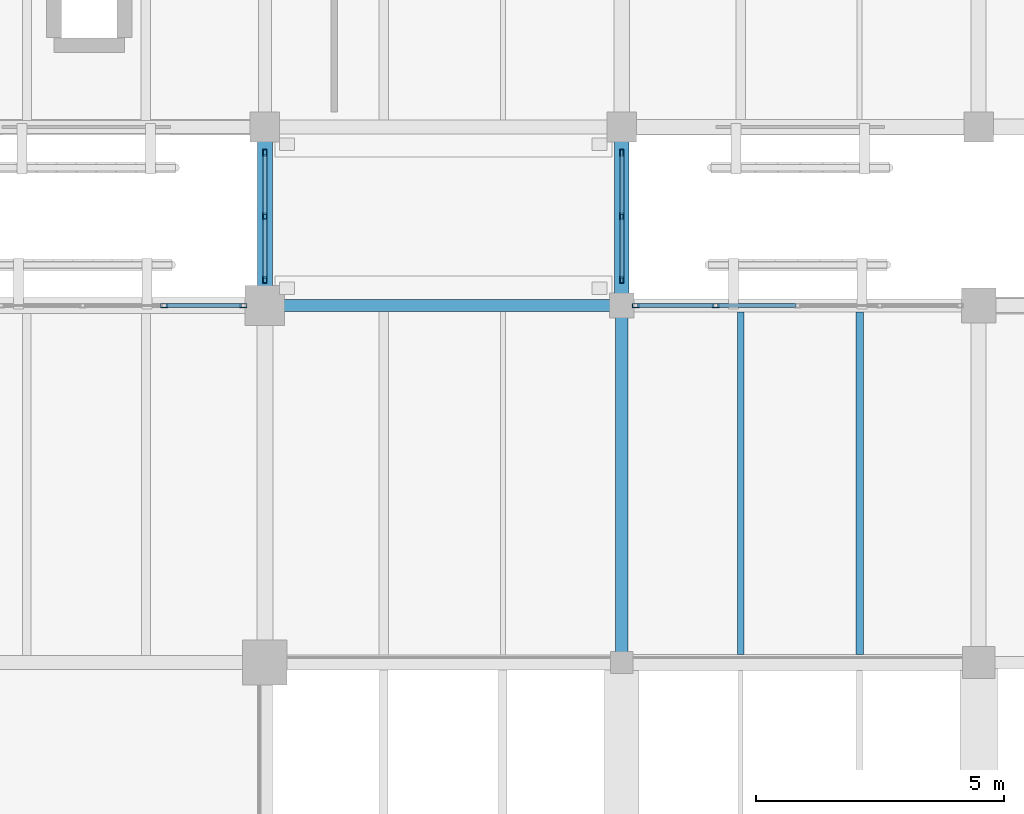
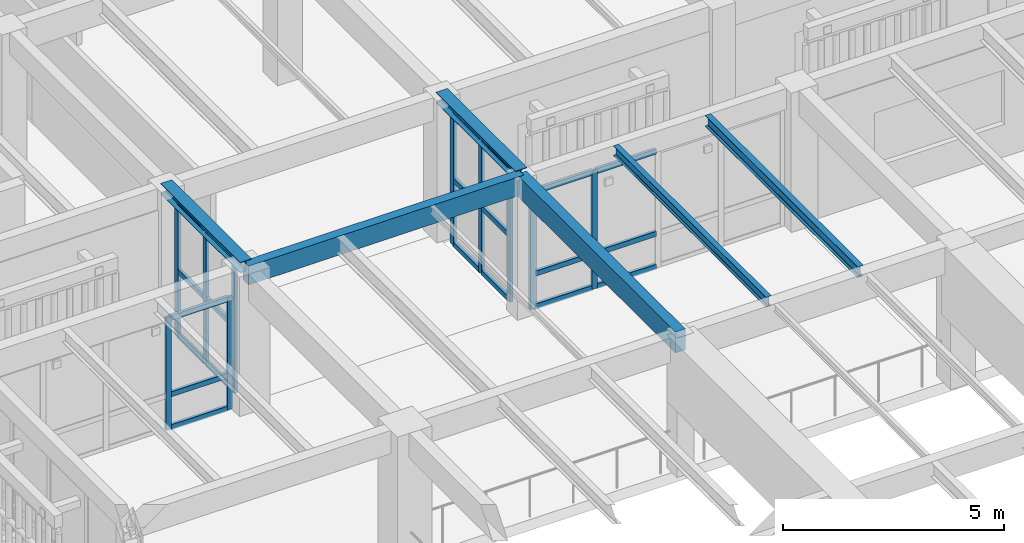
# One storey, part 91 of 170: 31 members, 6 beams, 4 elements without a shape of their own.
"""IFC4 building model written with IfcOpenShell, lengths in metres."""

from ifc_helpers import new_model, si_unit, direction, frame, origin, origin_2d, place, context, subcontext, project, spatial, rectangle, hollow_rectangle, i_section, extrude, material, layer, layer_set, material_profile, profile_set, type_object, element, aggregate, save


model = new_model("IFC4")

# Units and contexts
model_context = context("Model", 3, precision=1e-05, world=origin(), true_north=direction((0.0, 1.0)))
body_context = subcontext(model_context, "Body", "Model", "MODEL_VIEW")
ifc_project = project(units=[si_unit("LENGTHUNIT", "METRE"), si_unit("AREAUNIT", "SQUARE_METRE"), si_unit("VOLUMEUNIT", "CUBIC_METRE"), si_unit("PLANEANGLEUNIT", "RADIAN"), si_unit("MASSUNIT", "GRAM", prefix="KILO")], contexts=[model_context])

# Site, building, storey
site_placement = place(None, origin())
site = spatial("IfcSite", under=ifc_project, at=site_placement, CompositionType="ELEMENT")
building_placement = place(site_placement, origin())
building = spatial("IfcBuilding", under=site, at=building_placement, Name="Mazaris Harbour Polytechnic", CompositionType="ELEMENT")
storey_placement = place(building_placement, frame((0.0, 0.0, 5.39990234375)))
storey = spatial("IfcBuildingStorey", under=building, at=storey_placement, Name="L01", CompositionType="ELEMENT", Elevation=5.39990234375)

# Curtain wall, members
ifc_material_1 = material(Name="Anodised Bronze Aluminium and Low-E Glass", Category="aluminium")
ifc_layer_1 = layer(ifc_material_1, 0.159912109375, Name="Anodised Bronze Aluminium and Low-E Glass")
ifc_layer_set_1 = layer_set([ifc_layer_1], Name="Anodised Bronze Aluminium and Low-E Glass")
curtain_wall_type_1 = type_object("IfcCurtainWallType", Name="Cloister Court Curtain Wall", PredefinedType="NOTDEFINED", material=ifc_layer_set_1)
curtain_wall_1_placement = place(storey_placement, origin())
curtain_wall_1 = element("IfcCurtainWall", 1, at=curtain_wall_1_placement, inside=storey, type_object=curtain_wall_type_1, Name="V2 L01 Curtain Wall 43", PredefinedType="NOTDEFINED")
ifc_material_2 = material(Name="Anodised Bronze Steel S355", Category="steel")
ifc_material_profile_1 = material_profile(ifc_material_2, hollow_rectangle(XDim=0.080078125, YDim=0.139892578125, WallThickness=0.00634765625, at=origin_2d()), Name="RHS 80x140x6.3")
ifc_profile_set_1 = profile_set([ifc_material_profile_1], Name="Anodised Bronze Steel S355")
member_type_1 = type_object("IfcMemberType", Name="Curtain Mullion RHS80x140", PredefinedType="MULLION", material=ifc_profile_set_1)
member_1_placement = place(storey_placement, frame((127.56640625, 43.199951171875, 0.0), z_axis=(0.0, 0.0, 1.0), x_axis=(0.0, 1.0, 0.0)))
member_1 = element("IfcMember", 2, at=member_1_placement, type_object=member_type_1, Name="CW-02 mullion 4", PredefinedType="MULLION", context=body_context, shape_type="SweptSolid", body=[
    extrude(hollow_rectangle(XDim=0.080078125, YDim=0.139892578125, WallThickness=0.00634765625, at=origin_2d()), origin(), (0.0, 0.0, 1.0), 3.10009765625),
])
member_2_placement = place(storey_placement, frame((129.16796875, 43.199951171875, 0.0), z_axis=(0.0, 0.0, 1.0), x_axis=(0.0, 1.0, 0.0)))
member_2 = element("IfcMember", 3, at=member_2_placement, type_object=member_type_1, Name="CW-02 mullion 5", PredefinedType="MULLION", context=body_context, shape_type="SweptSolid", body=[
    extrude(hollow_rectangle(XDim=0.080078125, YDim=0.139892578125, WallThickness=0.00634765625, at=origin_2d()), origin(), (0.0, 0.0, 1.0), 3.10009765625),
])

curtain_wall_2_placement = place(storey_placement, origin())
curtain_wall_2 = element("IfcCurtainWall", 4, at=curtain_wall_2_placement, inside=storey, type_object=curtain_wall_type_1, Name="V2 L01 Curtain Wall 44", PredefinedType="NOTDEFINED")
member_3_placement = place(storey_placement, frame((137.08203125, 43.199951171875, 0.0), z_axis=(0.0, 0.0, 1.0), x_axis=(0.0, 1.0, 0.0)))
member_3 = element("IfcMember", 5, at=member_3_placement, type_object=member_type_1, Name="CW-02 mullion 1", PredefinedType="MULLION", context=body_context, shape_type="SweptSolid", body=[
    extrude(hollow_rectangle(XDim=0.080078125, YDim=0.139892578125, WallThickness=0.00634765625, at=origin_2d()), origin(), (0.0, 0.0, 1.0), 3.260009765625),
])
member_4_placement = place(storey_placement, frame((138.696044921875, 43.199951171875, 0.0), z_axis=(0.0, 0.0, 1.0), x_axis=(0.0, 1.0, 0.0)))
member_4 = element("IfcMember", 6, at=member_4_placement, type_object=member_type_1, Name="CW-02 mullion 2", PredefinedType="MULLION", context=body_context, shape_type="SweptSolid", body=[
    extrude(hollow_rectangle(XDim=0.080078125, YDim=0.139892578125, WallThickness=0.00634765625, at=origin_2d()), origin(), (0.0, 0.0, 1.0), 3.260009765625),
])

ifc_material_3 = material(Name="Anodised Bronze Aluminium and Low-E Glass", Category="aluminium")
ifc_layer_2 = layer(ifc_material_3, 0.139892578125, Name="Anodised Bronze Aluminium and Low-E Glass")
ifc_layer_set_2 = layer_set([ifc_layer_2], Name="Anodised Bronze Aluminium and Low-E Glass")
curtain_wall_type_2 = type_object("IfcCurtainWallType", Name="Seismic Link Bridge Glazing", PredefinedType="NOTDEFINED", material=ifc_layer_set_2)
curtain_wall_3_placement = place(storey_placement, origin())
curtain_wall_3 = element("IfcCurtainWall", 7, at=curtain_wall_3_placement, inside=storey, type_object=curtain_wall_type_2, Name="PB-NE L01 Bridge Glazing", PredefinedType="NOTDEFINED")
member_5_placement = place(storey_placement, frame((129.60009765625, 46.280029296875, 0.0), z_axis=(0.0, 0.0, 1.0), x_axis=(1.0, 0.0, 0.0)))
member_5 = element("IfcMember", 8, at=member_5_placement, type_object=member_type_1, Name="CW-05 mullion 1", PredefinedType="MULLION", context=body_context, shape_type="SweptSolid", body=[
    extrude(hollow_rectangle(XDim=0.080078125, YDim=0.139892578125, WallThickness=0.00634765625, at=origin_2d()), origin(), (0.0, 0.0, 1.0), 3.635009765625),
])
member_6_placement = place(storey_placement, frame((129.60009765625, 45.0, 0.0), z_axis=(0.0, 0.0, 1.0), x_axis=(1.0, 0.0, 0.0)))
member_6 = element("IfcMember", 9, at=member_6_placement, type_object=member_type_1, Name="CW-05 mullion 2", PredefinedType="MULLION", context=body_context, shape_type="SweptSolid", body=[
    extrude(hollow_rectangle(XDim=0.080078125, YDim=0.139892578125, WallThickness=0.00634765625, at=origin_2d()), origin(), (0.0, 0.0, 1.0), 3.635009765625),
])
member_7_placement = place(storey_placement, frame((129.60009765625, 43.719970703125, 0.0), z_axis=(0.0, 0.0, 1.0), x_axis=(1.0, 0.0, 0.0)))
member_7 = element("IfcMember", 10, at=member_7_placement, type_object=member_type_1, Name="CW-05 mullion 3", PredefinedType="MULLION", context=body_context, shape_type="SweptSolid", body=[
    extrude(hollow_rectangle(XDim=0.080078125, YDim=0.139892578125, WallThickness=0.00634765625, at=origin_2d()), origin(), (0.0, 0.0, 1.0), 3.635009765625),
])

curtain_wall_4_placement = place(storey_placement, origin())
curtain_wall_4 = element("IfcCurtainWall", 11, at=curtain_wall_4_placement, inside=storey, type_object=curtain_wall_type_2, Name="PB-NE L01 Bridge Glazing", PredefinedType="NOTDEFINED")
member_8_placement = place(storey_placement, frame((136.800048828125, 43.719970703125, 0.0), z_axis=(0.0, 0.0, 1.0), x_axis=(-1.0, 0.0, 0.0)))
member_8 = element("IfcMember", 12, at=member_8_placement, type_object=member_type_1, Name="CW-05 mullion 1", PredefinedType="MULLION", context=body_context, shape_type="SweptSolid", body=[
    extrude(hollow_rectangle(XDim=0.080078125, YDim=0.139892578125, WallThickness=0.00634765625, at=origin_2d()), origin(), (0.0, 0.0, 1.0), 3.635009765625),
])
member_9_placement = place(storey_placement, frame((136.800048828125, 45.0, 0.0), z_axis=(0.0, 0.0, 1.0), x_axis=(-1.0, 0.0, 0.0)))
member_9 = element("IfcMember", 13, at=member_9_placement, type_object=member_type_1, Name="CW-05 mullion 2", PredefinedType="MULLION", context=body_context, shape_type="SweptSolid", body=[
    extrude(hollow_rectangle(XDim=0.080078125, YDim=0.139892578125, WallThickness=0.00634765625, at=origin_2d()), origin(), (0.0, 0.0, 1.0), 3.635009765625),
])
member_10_placement = place(storey_placement, frame((136.800048828125, 46.280029296875, 0.0), z_axis=(0.0, 0.0, 1.0), x_axis=(-1.0, 0.0, 0.0)))
member_10 = element("IfcMember", 14, at=member_10_placement, type_object=member_type_1, Name="CW-05 mullion 3", PredefinedType="MULLION", context=body_context, shape_type="SweptSolid", body=[
    extrude(hollow_rectangle(XDim=0.080078125, YDim=0.139892578125, WallThickness=0.00634765625, at=origin_2d()), origin(), (0.0, 0.0, 1.0), 3.635009765625),
])

# Member
ifc_material_4 = material(Name="Anodised Bronze Steel S355", Category="steel")
ifc_material_profile_2 = material_profile(ifc_material_4, hollow_rectangle(XDim=0.080078125, YDim=0.139892578125, WallThickness=0.00634765625, at=origin_2d()), Name="RHS 80x140x6.3")
ifc_profile_set_2 = profile_set([ifc_material_profile_2], Name="Anodised Bronze Steel S355")
member_type_2 = type_object("IfcMemberType", Name="Curtain Transom RHS80x140", PredefinedType="USERDEFINED", material=ifc_profile_set_2)
member_11_placement = place(storey_placement, frame((127.6064453125, 43.199951171875, 0.0400390625), z_axis=(1.0, 0.0, 0.0), x_axis=(0.0, 1.0, 0.0)))
member_11 = element("IfcMember", 15, at=member_11_placement, type_object=member_type_2, Name="CW-02 transom 4.1", ObjectType="TRANSOM", PredefinedType="USERDEFINED", context=body_context, shape_type="SweptSolid", body=[
    extrude(hollow_rectangle(XDim=0.080078125, YDim=0.139892578125, WallThickness=0.00634765625, at=origin_2d()), origin(), (0.0, 0.0, 1.0), 1.521484375),
])

member_12_placement = place(storey_placement, frame((127.6064453125, 43.199951171875, 0.9501953125), z_axis=(1.0, 0.0, 0.0), x_axis=(0.0, 1.0, 0.0)))
member_12 = element("IfcMember", 16, at=member_12_placement, type_object=member_type_2, Name="CW-02 transom 4.2", ObjectType="TRANSOM", PredefinedType="USERDEFINED", context=body_context, shape_type="SweptSolid", body=[
    extrude(hollow_rectangle(XDim=0.080078125, YDim=0.139892578125, WallThickness=0.00634765625, at=origin_2d()), origin(), (0.0, 0.0, 1.0), 1.521484375),
])

member_13_placement = place(storey_placement, frame((127.6064453125, 43.199951171875, 3.06005859375), z_axis=(1.0, 0.0, 0.0), x_axis=(0.0, 1.0, 0.0)))
member_13 = element("IfcMember", 17, at=member_13_placement, type_object=member_type_2, Name="CW-02 transom 4.3", ObjectType="TRANSOM", PredefinedType="USERDEFINED", context=body_context, shape_type="SweptSolid", body=[
    extrude(hollow_rectangle(XDim=0.080078125, YDim=0.139892578125, WallThickness=0.00634765625, at=origin_2d()), origin(), (0.0, 0.0, 1.0), 1.521484375),
])

aggregate(curtain_wall_1, [member_1, member_2, member_11, member_12, member_13])

member_14_placement = place(storey_placement, frame((137.1220703125, 43.199951171875, 0.0400390625), z_axis=(1.0, 0.0, 0.0), x_axis=(0.0, 1.0, 0.0)))
member_14 = element("IfcMember", 18, at=member_14_placement, type_object=member_type_2, Name="CW-02 transom 1.1", ObjectType="TRANSOM", PredefinedType="USERDEFINED", context=body_context, shape_type="SweptSolid", body=[
    extrude(hollow_rectangle(XDim=0.080078125, YDim=0.139892578125, WallThickness=0.00634765625, at=origin_2d()), origin(), (0.0, 0.0, 1.0), 1.533935546875),
])

member_15_placement = place(storey_placement, frame((137.1220703125, 43.199951171875, 0.9501953125), z_axis=(1.0, 0.0, 0.0), x_axis=(0.0, 1.0, 0.0)))
member_15 = element("IfcMember", 19, at=member_15_placement, type_object=member_type_2, Name="CW-02 transom 1.2", ObjectType="TRANSOM", PredefinedType="USERDEFINED", context=body_context, shape_type="SweptSolid", body=[
    extrude(hollow_rectangle(XDim=0.080078125, YDim=0.139892578125, WallThickness=0.00634765625, at=origin_2d()), origin(), (0.0, 0.0, 1.0), 1.533935546875),
])

member_16_placement = place(storey_placement, frame((137.1220703125, 43.199951171875, 3.22021484375), z_axis=(1.0, 0.0, 0.0), x_axis=(0.0, 1.0, 0.0)))
member_16 = element("IfcMember", 20, at=member_16_placement, type_object=member_type_2, Name="CW-02 transom 1.3", ObjectType="TRANSOM", PredefinedType="USERDEFINED", context=body_context, shape_type="SweptSolid", body=[
    extrude(hollow_rectangle(XDim=0.080078125, YDim=0.139892578125, WallThickness=0.00634765625, at=origin_2d()), origin(), (0.0, 0.0, 1.0), 1.533935546875),
])

member_17_placement = place(storey_placement, frame((138.736083984375, 43.199951171875, 0.0400390625), z_axis=(1.0, 0.0, 0.0), x_axis=(0.0, 1.0, 0.0)))
member_17 = element("IfcMember", 21, at=member_17_placement, type_object=member_type_2, Name="CW-02 transom 2.1", ObjectType="TRANSOM", PredefinedType="USERDEFINED", context=body_context, shape_type="SweptSolid", body=[
    extrude(hollow_rectangle(XDim=0.080078125, YDim=0.139892578125, WallThickness=0.00634765625, at=origin_2d()), origin(), (0.0, 0.0, 1.0), 1.573974609375),
])

member_18_placement = place(storey_placement, frame((138.736083984375, 43.199951171875, 0.9501953125), z_axis=(1.0, 0.0, 0.0), x_axis=(0.0, 1.0, 0.0)))
member_18 = element("IfcMember", 22, at=member_18_placement, type_object=member_type_2, Name="CW-02 transom 2.2", ObjectType="TRANSOM", PredefinedType="USERDEFINED", context=body_context, shape_type="SweptSolid", body=[
    extrude(hollow_rectangle(XDim=0.080078125, YDim=0.139892578125, WallThickness=0.00634765625, at=origin_2d()), origin(), (0.0, 0.0, 1.0), 1.573974609375),
])

member_19_placement = place(storey_placement, frame((138.736083984375, 43.199951171875, 3.22021484375), z_axis=(1.0, 0.0, 0.0), x_axis=(0.0, 1.0, 0.0)))
member_19 = element("IfcMember", 23, at=member_19_placement, type_object=member_type_2, Name="CW-02 transom 2.3", ObjectType="TRANSOM", PredefinedType="USERDEFINED", context=body_context, shape_type="SweptSolid", body=[
    extrude(hollow_rectangle(XDim=0.080078125, YDim=0.139892578125, WallThickness=0.00634765625, at=origin_2d()), origin(), (0.0, 0.0, 1.0), 1.573974609375),
])

aggregate(curtain_wall_2, [member_3, member_4, member_14, member_15, member_16, member_17, member_18, member_19])

member_20_placement = place(storey_placement, frame((129.60009765625, 46.239990234375, 0.0400390625), z_axis=(0.0, -1.0, 0.0), x_axis=(1.0, 0.0, 0.0)))
member_20 = element("IfcMember", 24, at=member_20_placement, type_object=member_type_2, Name="CW-05 transom 1.1", ObjectType="TRANSOM", PredefinedType="USERDEFINED", context=body_context, shape_type="SweptSolid", body=[
    extrude(hollow_rectangle(XDim=0.080078125, YDim=0.139892578125, WallThickness=0.00634765625, at=origin_2d()), origin(), (0.0, 0.0, 1.0), 1.199951171875),
])

member_21_placement = place(storey_placement, frame((129.60009765625, 46.239990234375, 1.817626953125), z_axis=(0.0, -1.0, 0.0), x_axis=(1.0, 0.0, 0.0)))
member_21 = element("IfcMember", 25, at=member_21_placement, type_object=member_type_2, Name="CW-05 transom 1.2", ObjectType="TRANSOM", PredefinedType="USERDEFINED", context=body_context, shape_type="SweptSolid", body=[
    extrude(hollow_rectangle(XDim=0.080078125, YDim=0.139892578125, WallThickness=0.00634765625, at=origin_2d()), origin(), (0.0, 0.0, 1.0), 1.199951171875),
])

member_22_placement = place(storey_placement, frame((129.60009765625, 46.239990234375, 3.59521484375), z_axis=(0.0, -1.0, 0.0), x_axis=(1.0, 0.0, 0.0)))
member_22 = element("IfcMember", 26, at=member_22_placement, type_object=member_type_2, Name="CW-05 transom 1.3", ObjectType="TRANSOM", PredefinedType="USERDEFINED", context=body_context, shape_type="SweptSolid", body=[
    extrude(hollow_rectangle(XDim=0.080078125, YDim=0.139892578125, WallThickness=0.00634765625, at=origin_2d()), origin(), (0.0, 0.0, 1.0), 1.199951171875),
])

member_23_placement = place(storey_placement, frame((129.60009765625, 44.9599609375, 0.0400390625), z_axis=(0.0, -1.0, 0.0), x_axis=(1.0, 0.0, 0.0)))
member_23 = element("IfcMember", 27, at=member_23_placement, type_object=member_type_2, Name="CW-05 transom 2.1", ObjectType="TRANSOM", PredefinedType="USERDEFINED", context=body_context, shape_type="SweptSolid", body=[
    extrude(hollow_rectangle(XDim=0.080078125, YDim=0.139892578125, WallThickness=0.00634765625, at=origin_2d()), origin(), (0.0, 0.0, 1.0), 1.199951171875),
])

member_24_placement = place(storey_placement, frame((129.60009765625, 44.9599609375, 1.817626953125), z_axis=(0.0, -1.0, 0.0), x_axis=(1.0, 0.0, 0.0)))
member_24 = element("IfcMember", 28, at=member_24_placement, type_object=member_type_2, Name="CW-05 transom 2.2", ObjectType="TRANSOM", PredefinedType="USERDEFINED", context=body_context, shape_type="SweptSolid", body=[
    extrude(hollow_rectangle(XDim=0.080078125, YDim=0.139892578125, WallThickness=0.00634765625, at=origin_2d()), origin(), (0.0, 0.0, 1.0), 1.199951171875),
])

member_25_placement = place(storey_placement, frame((129.60009765625, 44.9599609375, 3.59521484375), z_axis=(0.0, -1.0, 0.0), x_axis=(1.0, 0.0, 0.0)))
member_25 = element("IfcMember", 29, at=member_25_placement, type_object=member_type_2, Name="CW-05 transom 2.3", ObjectType="TRANSOM", PredefinedType="USERDEFINED", context=body_context, shape_type="SweptSolid", body=[
    extrude(hollow_rectangle(XDim=0.080078125, YDim=0.139892578125, WallThickness=0.00634765625, at=origin_2d()), origin(), (0.0, 0.0, 1.0), 1.199951171875),
])

aggregate(curtain_wall_3, [member_5, member_6, member_7, member_20, member_21, member_22, member_23, member_24, member_25])

member_26_placement = place(storey_placement, frame((136.800048828125, 43.760009765625, 0.0400390625), z_axis=(0.0, 1.0, 0.0), x_axis=(-1.0, 0.0, 0.0)))
member_26 = element("IfcMember", 30, at=member_26_placement, type_object=member_type_2, Name="CW-05 transom 1.1", ObjectType="TRANSOM", PredefinedType="USERDEFINED", context=body_context, shape_type="SweptSolid", body=[
    extrude(hollow_rectangle(XDim=0.080078125, YDim=0.139892578125, WallThickness=0.00634765625, at=origin_2d()), origin(), (0.0, 0.0, 1.0), 1.199951171875),
])

member_27_placement = place(storey_placement, frame((136.800048828125, 43.760009765625, 1.817626953125), z_axis=(0.0, 1.0, 0.0), x_axis=(-1.0, 0.0, 0.0)))
member_27 = element("IfcMember", 31, at=member_27_placement, type_object=member_type_2, Name="CW-05 transom 1.2", ObjectType="TRANSOM", PredefinedType="USERDEFINED", context=body_context, shape_type="SweptSolid", body=[
    extrude(hollow_rectangle(XDim=0.080078125, YDim=0.139892578125, WallThickness=0.00634765625, at=origin_2d()), origin(), (0.0, 0.0, 1.0), 1.199951171875),
])

member_28_placement = place(storey_placement, frame((136.800048828125, 43.760009765625, 3.59521484375), z_axis=(0.0, 1.0, 0.0), x_axis=(-1.0, 0.0, 0.0)))
member_28 = element("IfcMember", 32, at=member_28_placement, type_object=member_type_2, Name="CW-05 transom 1.3", ObjectType="TRANSOM", PredefinedType="USERDEFINED", context=body_context, shape_type="SweptSolid", body=[
    extrude(hollow_rectangle(XDim=0.080078125, YDim=0.139892578125, WallThickness=0.00634765625, at=origin_2d()), origin(), (0.0, 0.0, 1.0), 1.199951171875),
])

member_29_placement = place(storey_placement, frame((136.800048828125, 45.0400390625, 0.0400390625), z_axis=(0.0, 1.0, 0.0), x_axis=(-1.0, 0.0, 0.0)))
member_29 = element("IfcMember", 33, at=member_29_placement, type_object=member_type_2, Name="CW-05 transom 2.1", ObjectType="TRANSOM", PredefinedType="USERDEFINED", context=body_context, shape_type="SweptSolid", body=[
    extrude(hollow_rectangle(XDim=0.080078125, YDim=0.139892578125, WallThickness=0.00634765625, at=origin_2d()), origin(), (0.0, 0.0, 1.0), 1.199951171875),
])

member_30_placement = place(storey_placement, frame((136.800048828125, 45.0400390625, 1.817626953125), z_axis=(0.0, 1.0, 0.0), x_axis=(-1.0, 0.0, 0.0)))
member_30 = element("IfcMember", 34, at=member_30_placement, type_object=member_type_2, Name="CW-05 transom 2.2", ObjectType="TRANSOM", PredefinedType="USERDEFINED", context=body_context, shape_type="SweptSolid", body=[
    extrude(hollow_rectangle(XDim=0.080078125, YDim=0.139892578125, WallThickness=0.00634765625, at=origin_2d()), origin(), (0.0, 0.0, 1.0), 1.199951171875),
])

member_31_placement = place(storey_placement, frame((136.800048828125, 45.0400390625, 3.59521484375), z_axis=(0.0, 1.0, 0.0), x_axis=(-1.0, 0.0, 0.0)))
member_31 = element("IfcMember", 35, at=member_31_placement, type_object=member_type_2, Name="CW-05 transom 2.3", ObjectType="TRANSOM", PredefinedType="USERDEFINED", context=body_context, shape_type="SweptSolid", body=[
    extrude(hollow_rectangle(XDim=0.080078125, YDim=0.139892578125, WallThickness=0.00634765625, at=origin_2d()), origin(), (0.0, 0.0, 1.0), 1.199951171875),
])

aggregate(curtain_wall_4, [member_8, member_9, member_10, member_26, member_27, member_28, member_29, member_30, member_31])

# Beams
ifc_material_5 = material(Name="Glulam GL32h", Category="wood")
ifc_material_profile_3 = material_profile(ifc_material_5, rectangle(XDim=0.239990234375, YDim=0.52001953125, at=origin_2d()), Name="RECT240x520")
ifc_profile_set_3 = profile_set([ifc_material_profile_3], Name="Glulam GL32h")
beam_type_1 = type_object("IfcBeamType", Name="Glulam Girder 240x520 Exterior", PredefinedType="BEAM", material=ifc_profile_set_3)
beam_1_placement = place(storey_placement, frame((129.60009765625, 43.199951171875, 3.590087890625), z_axis=(1.0, 0.0, 0.0), x_axis=(0.0, 1.0, 0.0)))
element("IfcBeam", 36, at=beam_1_placement, inside=storey, type_object=beam_type_1, Name="V2 L01 Girder 550", PredefinedType="BEAM", context=body_context, shape_type="SweptSolid", body=[
    extrude(rectangle(XDim=0.239990234375, YDim=0.52001953125, at=origin_2d()), origin(), (0.0, 0.0, 1.0), 7.199951171875),
])
ifc_material_6 = material(Name="Glulam GL32h", Category="wood")
ifc_material_profile_4 = material_profile(ifc_material_6, rectangle(XDim=0.260009765625, YDim=0.580078125, at=origin_2d()), Name="RECT260x580")
ifc_profile_set_4 = profile_set([ifc_material_profile_4], Name="Glulam GL32h")
beam_type_2 = type_object("IfcBeamType", Name="Glulam Girder 260x580", PredefinedType="BEAM", material=ifc_profile_set_4)
beam_2_placement = place(storey_placement, frame((136.800048828125, 36.0, 3.56005859375), z_axis=(0.0, 1.0, 0.0), x_axis=(-1.0, 0.0, 0.0)))
element("IfcBeam", 37, at=beam_2_placement, inside=storey, type_object=beam_type_2, Name="V2 L01 Tie Girder 566", PredefinedType="BEAM", context=body_context, shape_type="SweptSolid", body=[
    extrude(rectangle(XDim=0.260009765625, YDim=0.580078125, at=origin_2d()), origin(), (0.0, 0.0, 1.0), 7.199951171875),
])
ifc_material_7 = material(Name="Steel S355", Category="steel")
ifc_material_profile_5 = material_profile(ifc_material_7, i_section(OverallWidth=0.300048828125, OverallDepth=0.2900390625, WebThickness=0.008544921875, FlangeThickness=0.013916015625, FilletRadius=0.027099609375, at=origin_2d()), Name="HEA 300")
ifc_profile_set_5 = profile_set([ifc_material_profile_5], Name="Steel S355")
beam_type_3 = type_object("IfcBeamType", Name="Steel Beam HEA300 Exterior", PredefinedType="SPANDREL", material=ifc_profile_set_5)
for number, where, z_axis, x_axis, name in (
    (38, (129.60009765625, 43.199951171875, 3.7900390625), (0.0, 1.0, 0.0), (-1.0, 0.0, 0.0), "PB-NE L01 Bridge Girder 3475"),
    (39, (136.800048828125, 43.199951171875, 3.7900390625), (0.0, 1.0, 0.0), (-1.0, 0.0, 0.0), "PB-NE L01 Bridge Girder 3476"),
):
    element("IfcBeam", number, at=place(storey_placement, frame(where, z_axis=z_axis, x_axis=x_axis)), inside=storey, type_object=beam_type_3, Name=name, PredefinedType="SPANDREL", context=body_context, shape_type="SweptSolid", body=[
        extrude(i_section(OverallWidth=0.300048828125, OverallDepth=0.2900390625, WebThickness=0.008544921875, FlangeThickness=0.013916015625, FilletRadius=0.027099609375, at=origin_2d()), origin(), (0.0, 0.0, 1.0), 3.60009765625),
    ])
ifc_material_8 = material(Name="Steel S355", Category="steel")
ifc_material_profile_6 = material_profile(ifc_material_8, i_section(OverallWidth=0.135009765625, OverallDepth=0.27001953125, WebThickness=0.006591796875, FlangeThickness=0.01025390625, FilletRadius=0.014892578125, at=origin_2d()), Name="IPE 270")
ifc_profile_set_6 = profile_set([ifc_material_profile_6], Name="Steel S355")
beam_type_4 = type_object("IfcBeamType", Name="Steel Joist IPE270", PredefinedType="JOIST", material=ifc_profile_set_6)
beam_3_placement = place(storey_placement, frame((139.199951171875, 36.159912109375, 3.715087890625), z_axis=(0.0, 1.0, 0.0), x_axis=(-1.0, 0.0, 0.0)))
element("IfcBeam", 40, at=beam_3_placement, inside=storey, type_object=beam_type_4, Name="V2 L01 Floor Joist 604", PredefinedType="JOIST", context=body_context, shape_type="SweptSolid", body=[
    extrude(i_section(OverallWidth=0.135009765625, OverallDepth=0.27001953125, WebThickness=0.006591796875, FlangeThickness=0.01025390625, FilletRadius=0.014892578125, at=origin_2d()), origin(), (0.0, 0.0, 1.0), 6.91015625),
])
ifc_material_9 = material(Name="Steel S355", Category="steel")
ifc_material_profile_7 = material_profile(ifc_material_9, i_section(OverallWidth=0.14990234375, OverallDepth=0.300048828125, WebThickness=0.007080078125, FlangeThickness=0.0107421875, FilletRadius=0.014892578125, at=origin_2d()), Name="IPE 300")
ifc_profile_set_7 = profile_set([ifc_material_profile_7], Name="Steel S355")
beam_type_5 = type_object("IfcBeamType", Name="Steel Joist IPE300", PredefinedType="JOIST", material=ifc_profile_set_7)
beam_4_placement = place(storey_placement, frame((141.60009765625, 36.159912109375, 3.7001953125), z_axis=(0.0, 1.0, 0.0), x_axis=(-1.0, 0.0, 0.0)))
element("IfcBeam", 41, at=beam_4_placement, inside=storey, type_object=beam_type_5, Name="V2 L01 Floor Joist 605", PredefinedType="JOIST", context=body_context, shape_type="SweptSolid", body=[
    extrude(i_section(OverallWidth=0.14990234375, OverallDepth=0.300048828125, WebThickness=0.007080078125, FlangeThickness=0.0107421875, FilletRadius=0.014892578125, at=origin_2d()), origin(), (0.0, 0.0, 1.0), 6.91015625),
])

save(model, "model.ifc")
